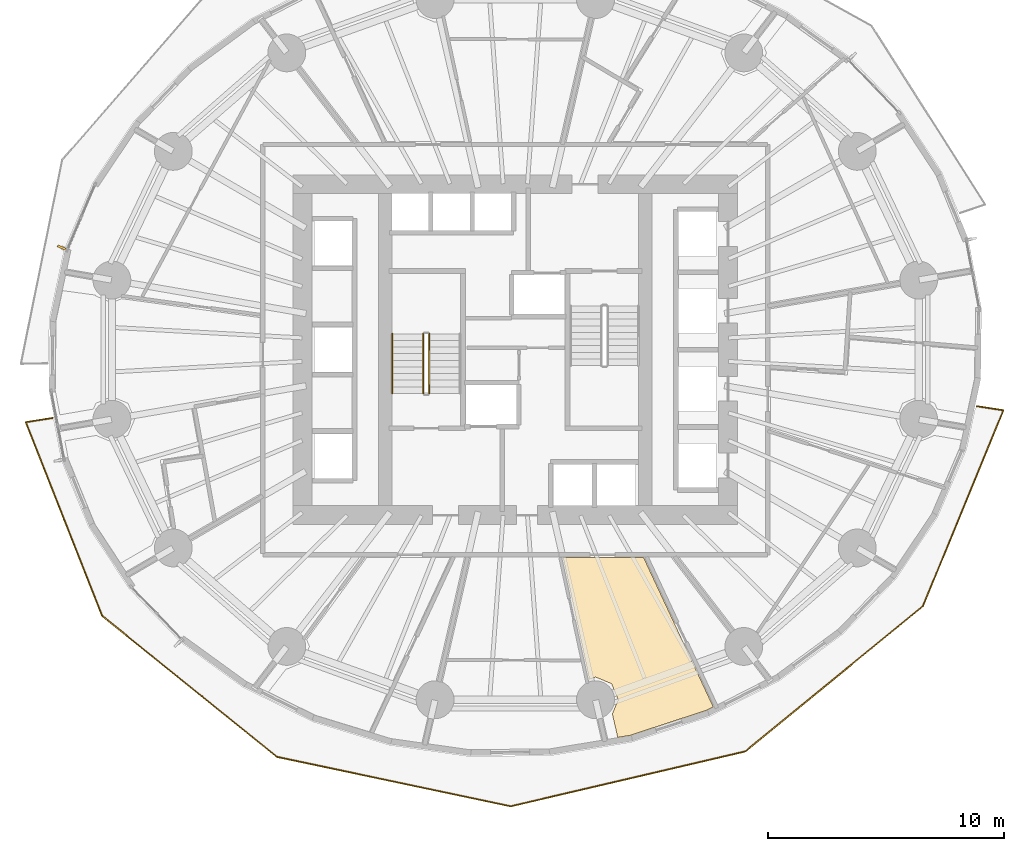
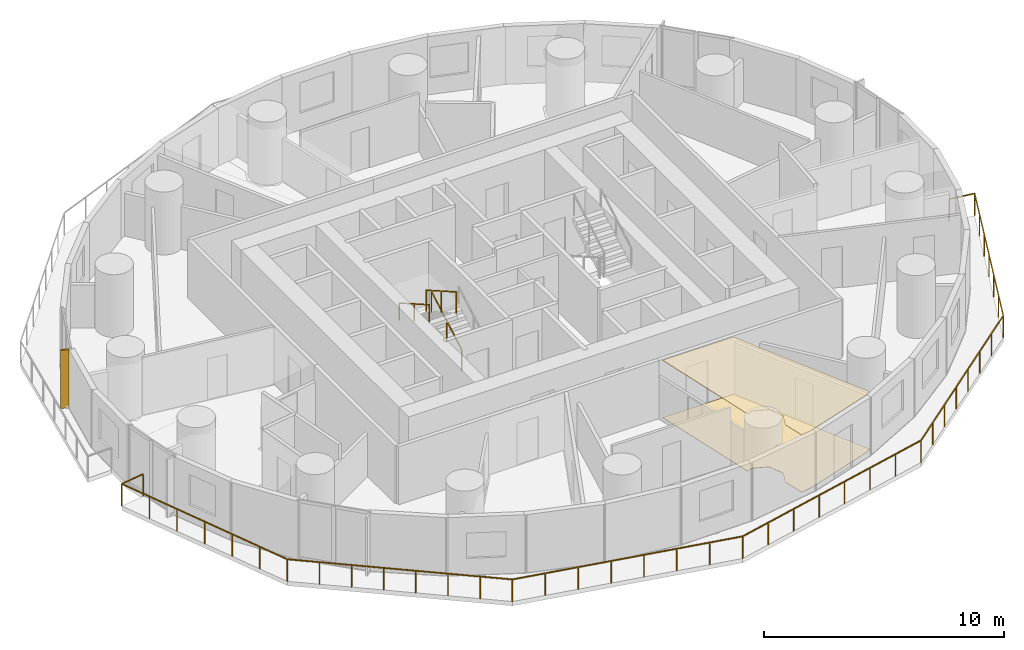
# One storey, part 12 of 14: 4 railings, 2 coverings, 1 shading device.
"""IFC4 building model written with IfcOpenShell, lengths in metres."""

import ifcopenshell
import ifcopenshell.guid

model = None  # the IFC model being written
_history = None  # IfcOwnerHistory: only IFC2X3 demands one
_inside = {}  # id of a spatial element -> (the spatial element, [elements in it])
_under = {}  # id of a project, library or spatial element -> (it, [spatial elements below it])
_declared = {}  # id of a project -> (the project, [libraries it declares])
_typed = {}  # id of a type object -> (the type object, [elements of that type])
_made_of = {}  # id of a material, layer set ... -> (it, [elements and type objects made of it])


def new_model(schema):
    """Start an empty IFC model of exactly this schema.

    Asked for "IFC4X3", IfcOpenShell would pick the latest addendum, in which some entities
    have other attributes; the version numbers below select the first issue.
    IFC2X3 requires an IfcOwnerHistory on every rooted entity: one is made here for all.
    """
    global model, _history
    if schema == "IFC4X3":
        model = ifcopenshell.file(schema_version=(4, 3, 0, 0))
    else:
        model = ifcopenshell.file(schema=schema)
    _inside.clear()
    _under.clear()
    _declared.clear()
    _typed.clear()
    _made_of.clear()
    _history = None
    if model.schema == "IFC2X3":
        org = make("IfcOrganization", Name="unknown")
        user = make(
            "IfcPersonAndOrganization",
            ThePerson=make("IfcPerson", FamilyName="unknown"),
            TheOrganization=org,
        )
        app = make(
            "IfcApplication",
            ApplicationDeveloper=org,
            Version="unknown",
            ApplicationFullName="unknown",
            ApplicationIdentifier="unknown",
        )
        _history = make(
            "IfcOwnerHistory",
            OwningUser=user,
            OwningApplication=app,
            ChangeAction="ADDED",
            CreationDate=0,
        )
    return model


def make(cls, **values):
    """One entity of the class cls with the attributes given. An attribute that is None is left unset."""
    return model.create_entity(
        cls, **{name: value for name, value in values.items() if value is not None}
    )


def rooted(cls, **values):
    """An entity with a GlobalId (a new one), such as an element, a storey or a relation."""
    return make(cls, GlobalId=ifcopenshell.guid.new(), OwnerHistory=_history, **values)


def si_unit(unit_type, name, prefix=None):
    """IfcSIUnit, for example si_unit("LENGTHUNIT", "METRE", prefix="MILLI")."""
    return make("IfcSIUnit", UnitType=unit_type, Prefix=prefix, Name=name)


def assignment(units):
    """IfcUnitAssignment: the units of a project."""
    return None if units is None else make("IfcUnitAssignment", Units=units)


def point(xyz):
    """IfcCartesianPoint."""
    return None if xyz is None else make("IfcCartesianPoint", Coordinates=xyz)


def direction(xyz):
    """IfcDirection."""
    return None if xyz is None else make("IfcDirection", DirectionRatios=xyz)


def frame(location, z_axis=None, x_axis=None):
    """IfcAxis2Placement3D, a coordinate frame: its origin and axes. An axis left out is left unset."""
    return make(
        "IfcAxis2Placement3D",
        Location=point(location),
        Axis=direction(z_axis),
        RefDirection=direction(x_axis),
    )


def frame_2d(location, x_axis=None):
    """IfcAxis2Placement2D, a coordinate frame in the plane: its origin and x axis."""
    return make(
        "IfcAxis2Placement2D", Location=point(location), RefDirection=direction(x_axis)
    )


def origin():
    """The frame at (0, 0, 0) with its axes left unset."""
    return frame((0.0, 0.0, 0.0))


def origin_2d():
    """The frame at (0, 0) in the plane with its x axis left unset."""
    return frame_2d((0.0, 0.0))


def place(relative_to, where):
    """IfcLocalPlacement: puts the frame where relative to a parent placement (None: the world)."""
    return make(
        "IfcLocalPlacement", PlacementRelTo=relative_to, RelativePlacement=where
    )


def context(
    kind, dimensions, precision=None, world=None, true_north=None, identifier=None
):
    """IfcGeometricRepresentationContext, for example the 3D "Model" context."""
    return make(
        "IfcGeometricRepresentationContext",
        ContextIdentifier=identifier,
        ContextType=kind,
        CoordinateSpaceDimension=dimensions,
        Precision=precision,
        WorldCoordinateSystem=world,
        TrueNorth=true_north,
    )


def subcontext(parent, identifier, kind, view, scale=None):
    """IfcGeometricRepresentationSubContext, for example "Body" below "Model"."""
    return make(
        "IfcGeometricRepresentationSubContext",
        ContextIdentifier=identifier,
        ContextType=kind,
        ParentContext=parent,
        TargetScale=scale,
        TargetView=view,
    )


def project(units=None, contexts=None):
    """IfcProject with its units and contexts."""
    return rooted(
        "IfcProject",
        Name="project",
        RepresentationContexts=contexts,
        UnitsInContext=assignment(units),
    )


def spatial(cls, under=None, at=None, **own):
    """A site, building, storey or space (cls), placed at a placement, below another one or the project."""
    s = rooted(cls, ObjectPlacement=at, **own)
    if under is not None:
        _under.setdefault(under.id(), (under, []))[1].append(s)
    return s


def polyline(points):
    """IfcPolyline through the points."""
    return make("IfcPolyline", Points=[point(p) for p in points])


def profile(cls, at=None, kind="AREA", **sizes):
    """A parametric profile (cls). Its sizes go by their IFC names, for example OverallWidth=200.0."""
    return make(cls, ProfileType=kind, Position=at, **sizes)


def rectangle(**sizes):
    """IfcRectangleProfileDef."""
    return profile("IfcRectangleProfileDef", **sizes)


def outline(outer, holes=None, kind="AREA"):
    """IfcArbitraryClosedProfileDef: a profile drawn as a closed curve; with holes, ...WithVoids."""
    if holes is None:
        return make("IfcArbitraryClosedProfileDef", ProfileType=kind, OuterCurve=outer)
    return make(
        "IfcArbitraryProfileDefWithVoids",
        ProfileType=kind,
        OuterCurve=outer,
        InnerCurves=holes,
    )


def extrude(swept, where, along, depth):
    """IfcExtrudedAreaSolid: the profile swept, set in the frame where, extruded along a direction by depth."""
    return make(
        "IfcExtrudedAreaSolid",
        SweptArea=swept,
        Position=where,
        ExtrudedDirection=direction(along),
        Depth=depth,
    )


def shape(context_of_items, identifier, shape_type, items):
    """IfcShapeRepresentation: the items that make up one representation, for example the "Body"."""
    return make(
        "IfcShapeRepresentation",
        ContextOfItems=context_of_items,
        RepresentationIdentifier=identifier,
        RepresentationType=shape_type,
        Items=items,
    )


def material(Name=None, Category=None):
    """IfcMaterial."""
    return make("IfcMaterial", Name=Name, Category=Category)


def layer(
    of_material, thickness, ventilated=None, Name=None, Category=None, Priority=None
):
    """IfcMaterialLayer: one layer of a wall or slab, of a material (None: an air gap)."""
    return make(
        "IfcMaterialLayer",
        Material=of_material,
        LayerThickness=thickness,
        IsVentilated=ventilated,
        Name=Name,
        Category=Category,
        Priority=Priority,
    )


def layer_set(layers, Name=None):
    """IfcMaterialLayerSet."""
    return make("IfcMaterialLayerSet", MaterialLayers=layers, LayerSetName=Name)


def made_of(thing, what):
    """Note that an element or type object is made of a material, layer set ...; save() writes the relation."""
    if what is not None:
        _made_of.setdefault(what.id(), (what, []))[1].append(thing)
    return thing


def type_object(cls, material=None, **own):
    """A type object (cls), such as IfcWallType, which elements share."""
    return made_of(rooted(cls, **own), material)


def element(
    cls,
    number,
    at=None,
    inside=None,
    cuts=None,
    type_object=None,
    material=None,
    context=None,
    identifier="Body",
    shape_type=None,
    held_by="IfcProductDefinitionShape",
    body=None,
    shapes=None,
    **own,
):
    """One element of the class cls, such as IfcWall. Its Tag is "e" and its number.

    at: its placement. inside: the storey or other place that contains it. cuts: it is an
    opening in that element (IfcRelVoidsElement). A single representation is given by context,
    identifier, shape_type and body (its items); several are given by shapes. held_by: the class
    of the entity that holds the representations. save() writes the other relations.
    """
    e = rooted(cls, Tag="e%d" % number, ObjectPlacement=at, **own)
    if body is not None:
        shapes = [shape(context, identifier, shape_type, body)]
    if shapes is not None:
        e.Representation = make(held_by, Representations=shapes)
    if inside is not None:
        _inside.setdefault(inside.id(), (inside, []))[1].append(e)
    if cuts is not None:
        rooted(
            "IfcRelVoidsElement", RelatingBuildingElement=cuts, RelatedOpeningElement=e
        )
    if type_object is not None:
        _typed.setdefault(type_object.id(), (type_object, []))[1].append(e)
    return made_of(e, material)


def aggregate(whole, parts):
    """IfcRelAggregates: a whole, such as a stair, and the parts it consists of."""
    return rooted("IfcRelAggregates", RelatingObject=whole, RelatedObjects=parts)


def save(model, path):
    """Write the relations noted so far, then the file.

    IfcRelAggregates (storeys below a building ...), IfcRelContainedInSpatialStructure (elements
    in a storey), IfcRelDefinesByType, IfcRelAssociatesMaterial and IfcRelDeclares: one each for
    every whole, place, type object, material and project.
    """
    for whole, parts in _under.values():
        aggregate(whole, parts)
    for where, things in _inside.values():
        rooted(
            "IfcRelContainedInSpatialStructure",
            RelatedElements=things,
            RelatingStructure=where,
        )
    for kind, things in _typed.values():
        rooted("IfcRelDefinesByType", RelatedObjects=things, RelatingType=kind)
    for what, things in _made_of.values():
        rooted("IfcRelAssociatesMaterial", RelatedObjects=things, RelatingMaterial=what)
    for by, libraries in _declared.values():
        rooted("IfcRelDeclares", RelatingContext=by, RelatedDefinitions=libraries)
    model.write(path)


model = new_model("IFC4")

# Units and contexts
model_context = context("Model", 3, precision=1e-05, world=origin(), true_north=direction((0.0, 1.0)))
body_context = subcontext(model_context, "Body", "Model", "MODEL_VIEW")
ifc_project = project(units=[si_unit("LENGTHUNIT", "METRE"), si_unit("AREAUNIT", "SQUARE_METRE"), si_unit("VOLUMEUNIT", "CUBIC_METRE"), si_unit("PLANEANGLEUNIT", "RADIAN"), si_unit("MASSUNIT", "GRAM", prefix="KILO")], contexts=[model_context])

# Site, building, storey
site_placement = place(None, origin())
site = spatial("IfcSite", under=ifc_project, at=site_placement, CompositionType="ELEMENT")
building_placement = place(site_placement, origin())
building = spatial("IfcBuilding", under=site, at=building_placement, Name="Veldorim Arch Residences", CompositionType="ELEMENT")
storey_placement = place(building_placement, frame((0.0, 0.0, 31.199951171875)))
storey = spatial("IfcBuildingStorey", under=building, at=storey_placement, Name="L08", CompositionType="ELEMENT", Elevation=31.199951171875)

# Railings
ifc_material_1 = material(Name="Aluminium", Category="aluminium")
railing_type_1 = type_object("IfcRailingType", Name="Balcony & Terrace Laminated Glass Balustrade 1150", PredefinedType="BALUSTRADE", material=ifc_material_1)
railing_1_placement = place(storey_placement, frame((12.4228515625, 21.111572265625, 0.0)))
element("IfcRailing", 1, at=railing_1_placement, inside=storey, type_object=railing_type_1, Name="L08 crescent balcony safety balustrade B", PredefinedType="BALUSTRADE", context=body_context, shape_type="SweptSolid", body=[
    extrude(rectangle(XDim=0.048095703125, YDim=0.048095703125, at=origin_2d()), frame((0.0, 0.0, 1.1259765625), z_axis=(-0.987948191268, -0.154784919715, 0.0), x_axis=(0.154784919715, -0.987948191268, 0.0)), (0.0, 0.0, 1.0), 1.14990234375),
    extrude(rectangle(XDim=0.048095703125, YDim=0.048095703125, at=origin_2d()), frame((-1.135986328125, -0.177978515625, 1.1259765625), z_axis=(0.367140674541, -0.930165428888, 0.0), x_axis=(0.930165428888, 0.367140674541, 0.0)), (0.0, 0.0, 1.0), 8.81298828125),
    extrude(rectangle(XDim=0.048095703125, YDim=0.048095703125, at=origin_2d()), frame((2.099609375, -8.37548828125, 1.1259765625), z_axis=(0.778383472333, -0.627789112679, 0.0), x_axis=(0.627789112679, 0.778383472333, 0.0)), (0.0, 0.0, 1.0), 9.501708984375),
    extrude(rectangle(XDim=0.048095703125, YDim=0.048095703125, at=origin_2d()), frame((9.49560546875, -14.340576171875, 1.1259765625), z_axis=(0.978364564789, -0.206888323413, 0.0), x_axis=(0.206888323413, 0.978364564789, 0.0)), (0.0, 0.0, 1.0), 10.104736328125),
    extrude(rectangle(XDim=0.048095703125, YDim=0.048095703125, at=origin_2d()), frame((19.3818359375, -16.43115234375, 1.1259765625), z_axis=(0.973694960204, 0.227855490331, 0.0), x_axis=(-0.227855490331, 0.973694960204, 0.0)), (0.0, 0.0, 1.0), 10.197265625),
    extrude(rectangle(XDim=0.048095703125, YDim=0.048095703125, at=origin_2d()), frame((29.310791015625, -14.107666015625, 1.1259765625), z_axis=(0.774053652319, 0.633120007054, 0.0), x_axis=(-0.633120007054, 0.774053652319, 0.0)), (0.0, 0.0, 1.0), 9.707763671875),
    extrude(rectangle(XDim=0.048095703125, YDim=0.048095703125, at=origin_2d()), frame((36.8251953125, -7.96142578125, 1.1259765625), z_axis=(0.380061666952, 0.924961150165, 0.0), x_axis=(-0.924961150165, 0.380061666952, 0.0)), (0.0, 0.0, 1.0), 8.959228515625),
    extrude(rectangle(XDim=0.048095703125, YDim=0.048095703125, at=origin_2d()), frame((40.230224609375, 0.325439453125, 1.1259765625), z_axis=(-0.988413381806, 0.151785989689, 0.0), x_axis=(-0.151785989689, -0.988413381806, 0.0)), (0.0, 0.0, 1.0), 1.150146484375),
    extrude(rectangle(XDim=0.0419921875, YDim=0.0419921875, at=origin_2d()), origin(), (0.0, 0.0, 1.0), 1.101806640625),
    extrude(rectangle(XDim=0.0419921875, YDim=0.0419921875, at=origin_2d()), frame((-1.135986328125, -0.177978515625, 0.0)), (0.0, 0.0, 1.0), 1.101806640625),
    extrude(rectangle(XDim=0.0419921875, YDim=0.0419921875, at=origin_2d()), frame((-0.5966796875, -1.544189453125, 0.0)), (0.0, 0.0, 1.0), 1.101806640625),
    extrude(rectangle(XDim=0.0419921875, YDim=0.0419921875, at=origin_2d()), frame((-0.057373046875, -2.910400390625, 0.0)), (0.0, 0.0, 1.0), 1.101806640625),
    extrude(rectangle(XDim=0.0419921875, YDim=0.0419921875, at=origin_2d()), frame((0.48193359375, -4.27685546875, 0.0)), (0.0, 0.0, 1.0), 1.101806640625),
    extrude(rectangle(XDim=0.0419921875, YDim=0.0419921875, at=origin_2d()), frame((1.02099609375, -5.64306640625, 0.0)), (0.0, 0.0, 1.0), 1.101806640625),
    extrude(rectangle(XDim=0.0419921875, YDim=0.0419921875, at=origin_2d()), frame((1.560302734375, -7.00927734375, 0.0)), (0.0, 0.0, 1.0), 1.101806640625),
    extrude(rectangle(XDim=0.0419921875, YDim=0.0419921875, at=origin_2d()), frame((2.099609375, -8.37548828125, 0.0)), (0.0, 0.0, 1.0), 1.101806640625),
    extrude(rectangle(XDim=0.0419921875, YDim=0.0419921875, at=origin_2d()), frame((3.15625, -9.2275390625, 0.0)), (0.0, 0.0, 1.0), 1.101806640625),
    extrude(rectangle(XDim=0.0419921875, YDim=0.0419921875, at=origin_2d()), frame((4.212646484375, -10.079833984375, 0.0)), (0.0, 0.0, 1.0), 1.101806640625),
    extrude(rectangle(XDim=0.0419921875, YDim=0.0419921875, at=origin_2d()), frame((5.269287109375, -10.931884765625, 0.0)), (0.0, 0.0, 1.0), 1.101806640625),
    extrude(rectangle(XDim=0.0419921875, YDim=0.0419921875, at=origin_2d()), frame((6.325927734375, -11.7841796875, 0.0)), (0.0, 0.0, 1.0), 1.101806640625),
    extrude(rectangle(XDim=0.0419921875, YDim=0.0419921875, at=origin_2d()), frame((7.382568359375, -12.63623046875, 0.0)), (0.0, 0.0, 1.0), 1.101806640625),
    extrude(rectangle(XDim=0.0419921875, YDim=0.0419921875, at=origin_2d()), frame((8.43896484375, -13.488525390625, 0.0)), (0.0, 0.0, 1.0), 1.101806640625),
    extrude(rectangle(XDim=0.0419921875, YDim=0.0419921875, at=origin_2d()), frame((9.49560546875, -14.340576171875, 0.0)), (0.0, 0.0, 1.0), 1.101806640625),
    extrude(rectangle(XDim=0.0419921875, YDim=0.0419921875, at=origin_2d()), frame((10.907958984375, -14.63916015625, 0.0)), (0.0, 0.0, 1.0), 1.101806640625),
    extrude(rectangle(XDim=0.0419921875, YDim=0.0419921875, at=origin_2d()), frame((12.3203125, -14.93798828125, 0.0)), (0.0, 0.0, 1.0), 1.101806640625),
    extrude(rectangle(XDim=0.0419921875, YDim=0.0419921875, at=origin_2d()), frame((13.732666015625, -15.236572265625, 0.0)), (0.0, 0.0, 1.0), 1.101806640625),
    extrude(rectangle(XDim=0.0419921875, YDim=0.0419921875, at=origin_2d()), frame((15.144775390625, -15.53515625, 0.0)), (0.0, 0.0, 1.0), 1.101806640625),
    extrude(rectangle(XDim=0.0419921875, YDim=0.0419921875, at=origin_2d()), frame((16.55712890625, -15.833740234375, 0.0)), (0.0, 0.0, 1.0), 1.101806640625),
    extrude(rectangle(XDim=0.0419921875, YDim=0.0419921875, at=origin_2d()), frame((17.969482421875, -16.132568359375, 0.0)), (0.0, 0.0, 1.0), 1.101806640625),
    extrude(rectangle(XDim=0.0419921875, YDim=0.0419921875, at=origin_2d()), frame((19.3818359375, -16.43115234375, 0.0)), (0.0, 0.0, 1.0), 1.101806640625),
    extrude(rectangle(XDim=0.0419921875, YDim=0.0419921875, at=origin_2d()), frame((20.80029296875, -16.09912109375, 0.0)), (0.0, 0.0, 1.0), 1.101806640625),
    extrude(rectangle(XDim=0.0419921875, YDim=0.0419921875, at=origin_2d()), frame((22.21875, -15.767333984375, 0.0)), (0.0, 0.0, 1.0), 1.101806640625),
    extrude(rectangle(XDim=0.0419921875, YDim=0.0419921875, at=origin_2d()), frame((23.63720703125, -15.435302734375, 0.0)), (0.0, 0.0, 1.0), 1.101806640625),
    extrude(rectangle(XDim=0.0419921875, YDim=0.0419921875, at=origin_2d()), frame((25.055419921875, -15.103515625, 0.0)), (0.0, 0.0, 1.0), 1.101806640625),
    extrude(rectangle(XDim=0.0419921875, YDim=0.0419921875, at=origin_2d()), frame((26.473876953125, -14.771484375, 0.0)), (0.0, 0.0, 1.0), 1.101806640625),
    extrude(rectangle(XDim=0.0419921875, YDim=0.0419921875, at=origin_2d()), frame((27.892333984375, -14.439697265625, 0.0)), (0.0, 0.0, 1.0), 1.101806640625),
    extrude(rectangle(XDim=0.0419921875, YDim=0.0419921875, at=origin_2d()), frame((29.310791015625, -14.107666015625, 0.0)), (0.0, 0.0, 1.0), 1.101806640625),
    extrude(rectangle(XDim=0.0419921875, YDim=0.0419921875, at=origin_2d()), frame((30.38427734375, -13.229736328125, 0.0)), (0.0, 0.0, 1.0), 1.101806640625),
    extrude(rectangle(XDim=0.0419921875, YDim=0.0419921875, at=origin_2d()), frame((31.457763671875, -12.3515625, 0.0)), (0.0, 0.0, 1.0), 1.101806640625),
    extrude(rectangle(XDim=0.0419921875, YDim=0.0419921875, at=origin_2d()), frame((32.53125, -11.4736328125, 0.0)), (0.0, 0.0, 1.0), 1.101806640625),
    extrude(rectangle(XDim=0.0419921875, YDim=0.0419921875, at=origin_2d()), frame((33.604736328125, -10.595458984375, 0.0)), (0.0, 0.0, 1.0), 1.101806640625),
    extrude(rectangle(XDim=0.0419921875, YDim=0.0419921875, at=origin_2d()), frame((34.67822265625, -9.717529296875, 0.0)), (0.0, 0.0, 1.0), 1.101806640625),
    extrude(rectangle(XDim=0.0419921875, YDim=0.0419921875, at=origin_2d()), frame((35.751708984375, -8.83935546875, 0.0)), (0.0, 0.0, 1.0), 1.101806640625),
    extrude(rectangle(XDim=0.0419921875, YDim=0.0419921875, at=origin_2d()), frame((36.8251953125, -7.96142578125, 0.0)), (0.0, 0.0, 1.0), 1.101806640625),
    extrude(rectangle(XDim=0.0419921875, YDim=0.0419921875, at=origin_2d()), frame((37.392578125, -6.580322265625, 0.0)), (0.0, 0.0, 1.0), 1.101806640625),
    extrude(rectangle(XDim=0.0419921875, YDim=0.0419921875, at=origin_2d()), frame((37.960205078125, -5.19921875, 0.0)), (0.0, 0.0, 1.0), 1.101806640625),
    extrude(rectangle(XDim=0.0419921875, YDim=0.0419921875, at=origin_2d()), frame((38.52783203125, -3.81787109375, 0.0)), (0.0, 0.0, 1.0), 1.101806640625),
    extrude(rectangle(XDim=0.0419921875, YDim=0.0419921875, at=origin_2d()), frame((39.09521484375, -2.436767578125, 0.0)), (0.0, 0.0, 1.0), 1.101806640625),
    extrude(rectangle(XDim=0.0419921875, YDim=0.0419921875, at=origin_2d()), frame((39.66259765625, -1.0556640625, 0.0)), (0.0, 0.0, 1.0), 1.101806640625),
    extrude(rectangle(XDim=0.0419921875, YDim=0.0419921875, at=origin_2d()), frame((40.230224609375, 0.325439453125, 0.0)), (0.0, 0.0, 1.0), 1.101806640625),
    extrude(rectangle(XDim=0.0419921875, YDim=0.0419921875, at=origin_2d()), frame((39.093505859375, 0.5, 0.0)), (0.0, 0.0, 1.0), 1.101806640625),
])
ifc_material_2 = material(Name="Steel S355", Category="steel")
railing_type_2 = type_object("IfcRailingType", Name="Galvanised Steel Stair Safety Guardrail 1100", PredefinedType="GUARDRAIL", material=ifc_material_2)
railing_2_placement = place(storey_placement, frame((28.360107421875, 22.14990234375, 0.16015625)))
element("IfcRailing", 2, at=railing_2_placement, inside=storey, type_object=railing_type_2, Name="L08 ST-1 stair guard 1", PredefinedType="GUARDRAIL", context=body_context, shape_type="SweptSolid", body=[
    extrude(rectangle(XDim=0.048095703125, YDim=0.048095703125, at=origin_2d()), frame((0.0, 0.0, 1.076171875), z_axis=(0.0, 0.868253494771, 0.496120820787), x_axis=(-1.0, 0.0, 0.0)), (0.0, 0.0, 1.0), 2.90234375),
    extrude(rectangle(XDim=0.0419921875, YDim=0.0419921875, at=origin_2d()), origin(), (0.0, 0.0, 1.0), 1.052001953125),
    extrude(rectangle(XDim=0.0419921875, YDim=0.0419921875, at=origin_2d()), frame((0.0, 1.260009765625, 0.719970703125)), (0.0, 0.0, 1.0), 1.052001953125),
    extrude(rectangle(XDim=0.0419921875, YDim=0.0419921875, at=origin_2d()), frame((0.0, 2.52001953125, 1.43994140625)), (0.0, 0.0, 1.0), 1.052001953125),
])
railing_3_placement = place(storey_placement, frame((28.10009765625, 24.669921875, 1.760009765625)))
element("IfcRailing", 3, at=railing_3_placement, inside=storey, type_object=railing_type_2, Name="L08 ST-1 stair guard 3", PredefinedType="GUARDRAIL", context=body_context, shape_type="SweptSolid", body=[
    extrude(rectangle(XDim=0.048095703125, YDim=0.048095703125, at=origin_2d()), frame((0.0, 0.0, 1.076171875), z_axis=(0.0, -0.868253494771, 0.496120820787), x_axis=(1.0, 0.0, 0.0)), (0.0, 0.0, 1.0), 2.90234375),
    extrude(rectangle(XDim=0.0419921875, YDim=0.0419921875, at=origin_2d()), origin(), (0.0, 0.0, 1.0), 1.052001953125),
    extrude(rectangle(XDim=0.0419921875, YDim=0.0419921875, at=origin_2d()), frame((0.0, -1.260009765625, 0.719970703125)), (0.0, 0.0, 1.0), 1.052001953125),
    extrude(rectangle(XDim=0.0419921875, YDim=0.0419921875, at=origin_2d()), frame((0.0, -2.52001953125, 1.43994140625)), (0.0, 0.0, 1.0), 1.052001953125),
])

# Coverings
ifc_material_3 = material(Name="Acoustic Gypsum & Mineral Fibre", Category="gypsum")
ifc_layer_1 = layer(ifc_material_3, 0.034912109375, Name="Perforated Acoustic Mineral-Fibre Ceiling 35")
ifc_layer_set_1 = layer_set([ifc_layer_1], Name="Acoustic Gypsum & Mineral Fibre")
covering_type_1 = type_object("IfcCoveringType", Name="Perforated Acoustic Mineral-Fibre Ceiling 35", PredefinedType="CEILING", material=ifc_layer_set_1)
covering_1_placement = place(storey_placement, frame((0.0, 0.0, 2.905029296875)))
element("IfcCovering", 4, at=covering_1_placement, inside=storey, type_object=covering_type_1, Name="L08 acoustic suspended ceiling 02", PredefinedType="CEILING", context=body_context, shape_type="SweptSolid", body=[
    extrude(outline(polyline([(36.3544921875, 9.190185546875), (36.0732421875, 9.868896484375), (35.39453125, 10.14990234375), (35.14111328125, 10.044921875), (34.026123046875, 15.199951171875), (37.430908203125, 15.199951171875), (40.373046875, 8.892822265625), (40.0654296875, 8.7353515625), (36.85107421875, 7.68212890625), (36.334228515625, 7.5966796875), (36.1064453125, 8.59130859375), (36.3544921875, 9.190185546875)])), origin(), (0.0, 0.0, 1.0), 0.034912109375),
])
ifc_material_4 = material(Name="Porcelain Ceramic Tile", Category="ceramic")
ifc_layer_2 = layer(ifc_material_4, 0.02001953125, Name="Slip-Resistant Porcelain & Vinyl Floor Finish 20")
ifc_layer_set_2 = layer_set([ifc_layer_2], Name="Porcelain Ceramic Tile")
covering_type_2 = type_object("IfcCoveringType", Name="Slip-Resistant Porcelain & Vinyl Floor Finish 20", PredefinedType="FLOORING", material=ifc_layer_set_2)
covering_2_placement = place(storey_placement, origin())
element("IfcCovering", 5, at=covering_2_placement, inside=storey, type_object=covering_type_2, Name="L08 porcelain floor finish 02", PredefinedType="FLOORING", context=body_context, shape_type="SweptSolid", body=[
    extrude(outline(polyline([(36.3544921875, 9.190185546875), (36.0732421875, 9.868896484375), (35.39453125, 10.14990234375), (35.14111328125, 10.044921875), (34.026123046875, 15.199951171875), (37.430908203125, 15.199951171875), (40.373046875, 8.892822265625), (40.0654296875, 8.7353515625), (36.85107421875, 7.68212890625), (36.334228515625, 7.5966796875), (36.1064453125, 8.59130859375), (36.3544921875, 9.190185546875)])), origin(), (0.0, 0.0, 1.0), 0.02001953125),
])

# Railing
ifc_material_5 = material(Name="Stainless Steel", Category="steel")
railing_type_3 = type_object("IfcRailingType", Name="Tubular Steel Continuous Wall Handrail 900", PredefinedType="HANDRAIL", material=ifc_material_5)
railing_4_placement = place(storey_placement, frame((26.800048828125, 24.669921875, 1.760009765625)))
element("IfcRailing", 6, at=railing_4_placement, inside=storey, type_object=railing_type_3, Name="L08 ST-1 stair handrail 2", PredefinedType="HANDRAIL", context=body_context, shape_type="SweptSolid", body=[
    extrude(rectangle(XDim=0.048095703125, YDim=0.048095703125, at=origin_2d()), frame((0.0, 0.0, 0.8759765625), z_axis=(0.0, -0.868253494771, 0.496120820787), x_axis=(1.0, 0.0, 0.0)), (0.0, 0.0, 1.0), 2.90234375),
    extrude(rectangle(XDim=0.0419921875, YDim=0.0419921875, at=origin_2d()), origin(), (0.0, 0.0, 1.0), 0.851806640625),
    extrude(rectangle(XDim=0.0419921875, YDim=0.0419921875, at=origin_2d()), frame((0.0, -1.260009765625, 0.719970703125)), (0.0, 0.0, 1.0), 0.851806640625),
    extrude(rectangle(XDim=0.0419921875, YDim=0.0419921875, at=origin_2d()), frame((0.0, -2.52001953125, 1.43994140625)), (0.0, 0.0, 1.0), 0.851806640625),
])

# Shading device
ifc_material_6 = material(Name="Terracotta Ceramic", Category="masonry")
ifc_layer_3 = layer(ifc_material_6, 0.090087890625, Name="Vertical Extruded Terracotta Baguette Sun-Shading Fin")
ifc_layer_set_3 = layer_set([ifc_layer_3], Name="Terracotta Ceramic")
shading_device_type = type_object("IfcShadingDeviceType", Name="Vertical Extruded Terracotta Baguette Sun-Shading Fin", PredefinedType="USERDEFINED", material=ifc_layer_set_3)
shading_device_placement = place(storey_placement, frame((12.803466796875, 28.3232421875, 0.0), z_axis=(0.0, 0.0, 1.0), x_axis=(0.393781484212, 0.919204081089, 0.0)))
element("IfcShadingDevice", 7, at=shading_device_placement, inside=storey, type_object=shading_device_type, Name="L08 vertical terracotta sun-shading fin 16", ObjectType="FIN", PredefinedType="USERDEFINED", context=body_context, shape_type="SweptSolid", body=[
    extrude(rectangle(XDim=0.090087890625, YDim=0.360107421875, at=origin_2d()), origin(), (0.0, 0.0, 1.0), 2.9599609375),
])

save(model, "model.ifc")
